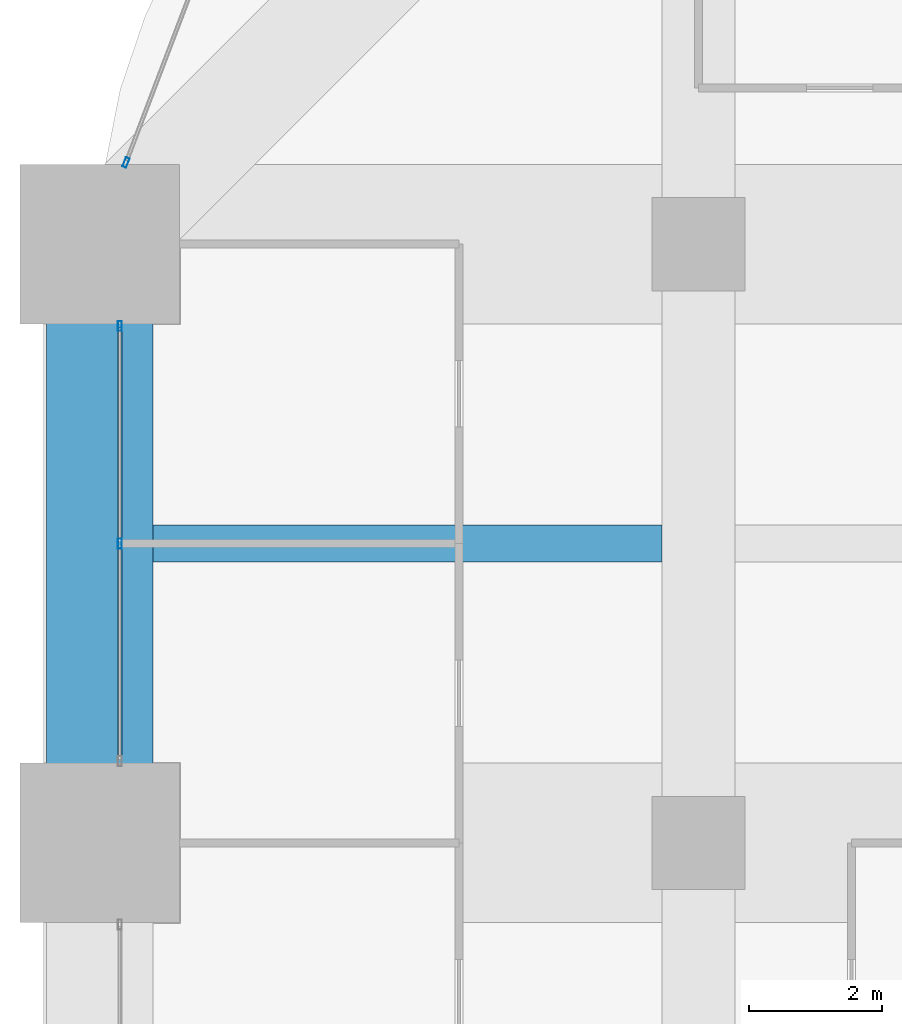
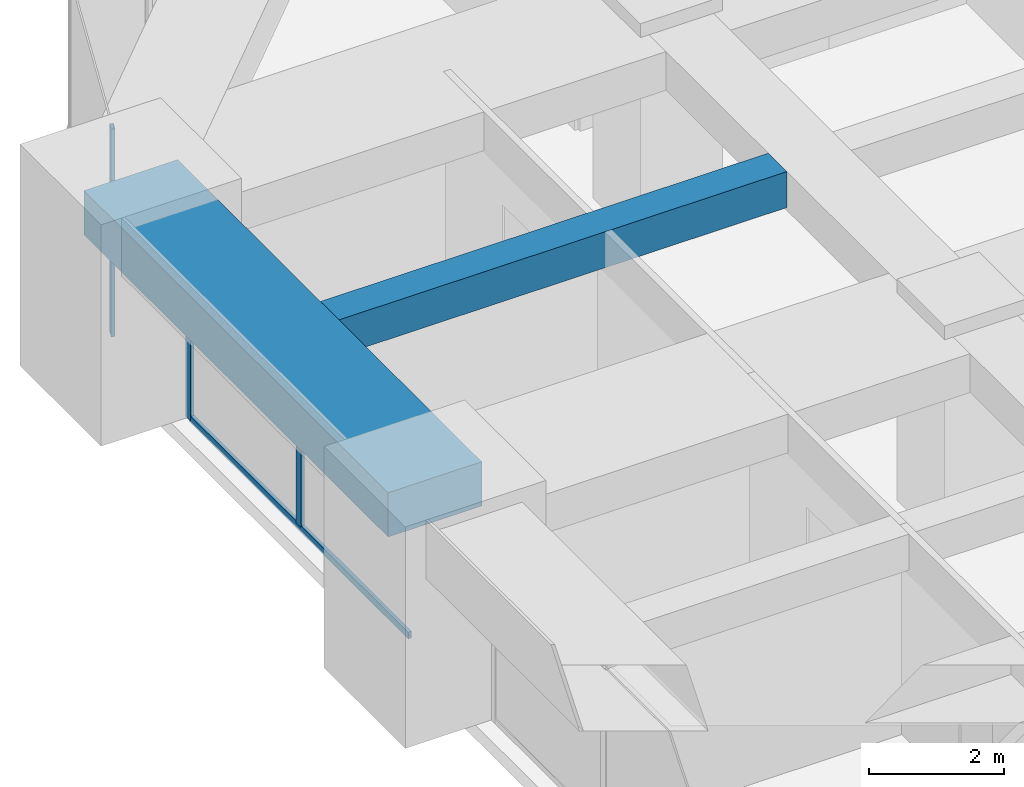
# One storey, part 19 of 35: 4 members, 2 beams, 2 elements without a shape of their own.
"""IFC4 building model written with IfcOpenShell, lengths in metres."""

import ifcopenshell
import ifcopenshell.guid

model = None  # the IFC model being written
_history = None  # IfcOwnerHistory: only IFC2X3 demands one
_inside = {}  # id of a spatial element -> (the spatial element, [elements in it])
_under = {}  # id of a project, library or spatial element -> (it, [spatial elements below it])
_declared = {}  # id of a project -> (the project, [libraries it declares])
_typed = {}  # id of a type object -> (the type object, [elements of that type])
_made_of = {}  # id of a material, layer set ... -> (it, [elements and type objects made of it])


def new_model(schema):
    """Start an empty IFC model of exactly this schema.

    Asked for "IFC4X3", IfcOpenShell would pick the latest addendum, in which some entities
    have other attributes; the version numbers below select the first issue.
    IFC2X3 requires an IfcOwnerHistory on every rooted entity: one is made here for all.
    """
    global model, _history
    if schema == "IFC4X3":
        model = ifcopenshell.file(schema_version=(4, 3, 0, 0))
    else:
        model = ifcopenshell.file(schema=schema)
    _inside.clear()
    _under.clear()
    _declared.clear()
    _typed.clear()
    _made_of.clear()
    _history = None
    if model.schema == "IFC2X3":
        org = make("IfcOrganization", Name="unknown")
        user = make(
            "IfcPersonAndOrganization",
            ThePerson=make("IfcPerson", FamilyName="unknown"),
            TheOrganization=org,
        )
        app = make(
            "IfcApplication",
            ApplicationDeveloper=org,
            Version="unknown",
            ApplicationFullName="unknown",
            ApplicationIdentifier="unknown",
        )
        _history = make(
            "IfcOwnerHistory",
            OwningUser=user,
            OwningApplication=app,
            ChangeAction="ADDED",
            CreationDate=0,
        )
    return model


def make(cls, **values):
    """One entity of the class cls with the attributes given. An attribute that is None is left unset."""
    return model.create_entity(
        cls, **{name: value for name, value in values.items() if value is not None}
    )


def rooted(cls, **values):
    """An entity with a GlobalId (a new one), such as an element, a storey or a relation."""
    return make(cls, GlobalId=ifcopenshell.guid.new(), OwnerHistory=_history, **values)


def si_unit(unit_type, name, prefix=None):
    """IfcSIUnit, for example si_unit("LENGTHUNIT", "METRE", prefix="MILLI")."""
    return make("IfcSIUnit", UnitType=unit_type, Prefix=prefix, Name=name)


def assignment(units):
    """IfcUnitAssignment: the units of a project."""
    return None if units is None else make("IfcUnitAssignment", Units=units)


def point(xyz):
    """IfcCartesianPoint."""
    return None if xyz is None else make("IfcCartesianPoint", Coordinates=xyz)


def direction(xyz):
    """IfcDirection."""
    return None if xyz is None else make("IfcDirection", DirectionRatios=xyz)


def frame(location, z_axis=None, x_axis=None):
    """IfcAxis2Placement3D, a coordinate frame: its origin and axes. An axis left out is left unset."""
    return make(
        "IfcAxis2Placement3D",
        Location=point(location),
        Axis=direction(z_axis),
        RefDirection=direction(x_axis),
    )


def frame_2d(location, x_axis=None):
    """IfcAxis2Placement2D, a coordinate frame in the plane: its origin and x axis."""
    return make(
        "IfcAxis2Placement2D", Location=point(location), RefDirection=direction(x_axis)
    )


def origin():
    """The frame at (0, 0, 0) with its axes left unset."""
    return frame((0.0, 0.0, 0.0))


def origin_2d():
    """The frame at (0, 0) in the plane with its x axis left unset."""
    return frame_2d((0.0, 0.0))


def place(relative_to, where):
    """IfcLocalPlacement: puts the frame where relative to a parent placement (None: the world)."""
    return make(
        "IfcLocalPlacement", PlacementRelTo=relative_to, RelativePlacement=where
    )


def context(
    kind, dimensions, precision=None, world=None, true_north=None, identifier=None
):
    """IfcGeometricRepresentationContext, for example the 3D "Model" context."""
    return make(
        "IfcGeometricRepresentationContext",
        ContextIdentifier=identifier,
        ContextType=kind,
        CoordinateSpaceDimension=dimensions,
        Precision=precision,
        WorldCoordinateSystem=world,
        TrueNorth=true_north,
    )


def subcontext(parent, identifier, kind, view, scale=None):
    """IfcGeometricRepresentationSubContext, for example "Body" below "Model"."""
    return make(
        "IfcGeometricRepresentationSubContext",
        ContextIdentifier=identifier,
        ContextType=kind,
        ParentContext=parent,
        TargetScale=scale,
        TargetView=view,
    )


def project(units=None, contexts=None):
    """IfcProject with its units and contexts."""
    return rooted(
        "IfcProject",
        Name="project",
        RepresentationContexts=contexts,
        UnitsInContext=assignment(units),
    )


def spatial(cls, under=None, at=None, **own):
    """A site, building, storey or space (cls), placed at a placement, below another one or the project."""
    s = rooted(cls, ObjectPlacement=at, **own)
    if under is not None:
        _under.setdefault(under.id(), (under, []))[1].append(s)
    return s


def profile(cls, at=None, kind="AREA", **sizes):
    """A parametric profile (cls). Its sizes go by their IFC names, for example OverallWidth=200.0."""
    return make(cls, ProfileType=kind, Position=at, **sizes)


def rectangle(**sizes):
    """IfcRectangleProfileDef."""
    return profile("IfcRectangleProfileDef", **sizes)


def hollow_rectangle(**sizes):
    """IfcRectangleHollowProfileDef."""
    return profile("IfcRectangleHollowProfileDef", **sizes)


def extrude(swept, where, along, depth):
    """IfcExtrudedAreaSolid: the profile swept, set in the frame where, extruded along a direction by depth."""
    return make(
        "IfcExtrudedAreaSolid",
        SweptArea=swept,
        Position=where,
        ExtrudedDirection=direction(along),
        Depth=depth,
    )


def shape(context_of_items, identifier, shape_type, items):
    """IfcShapeRepresentation: the items that make up one representation, for example the "Body"."""
    return make(
        "IfcShapeRepresentation",
        ContextOfItems=context_of_items,
        RepresentationIdentifier=identifier,
        RepresentationType=shape_type,
        Items=items,
    )


def material(Name=None, Category=None):
    """IfcMaterial."""
    return make("IfcMaterial", Name=Name, Category=Category)


def material_profile(
    of_material, cross_section, Name=None, Category=None, Priority=None
):
    """IfcMaterialProfile: a cross section and its material."""
    return make(
        "IfcMaterialProfile",
        Name=Name,
        Material=of_material,
        Profile=cross_section,
        Priority=Priority,
        Category=Category,
    )


def profile_set(profiles, Name=None, composite=None):
    """IfcMaterialProfileSet."""
    return make(
        "IfcMaterialProfileSet",
        Name=Name,
        MaterialProfiles=profiles,
        CompositeProfile=composite,
    )


def made_of(thing, what):
    """Note that an element or type object is made of a material, layer set ...; save() writes the relation."""
    if what is not None:
        _made_of.setdefault(what.id(), (what, []))[1].append(thing)
    return thing


def type_object(cls, material=None, **own):
    """A type object (cls), such as IfcWallType, which elements share."""
    return made_of(rooted(cls, **own), material)


def element(
    cls,
    number,
    at=None,
    inside=None,
    cuts=None,
    type_object=None,
    material=None,
    context=None,
    identifier="Body",
    shape_type=None,
    held_by="IfcProductDefinitionShape",
    body=None,
    shapes=None,
    **own,
):
    """One element of the class cls, such as IfcWall. Its Tag is "e" and its number.

    at: its placement. inside: the storey or other place that contains it. cuts: it is an
    opening in that element (IfcRelVoidsElement). A single representation is given by context,
    identifier, shape_type and body (its items); several are given by shapes. held_by: the class
    of the entity that holds the representations. save() writes the other relations.
    """
    e = rooted(cls, Tag="e%d" % number, ObjectPlacement=at, **own)
    if body is not None:
        shapes = [shape(context, identifier, shape_type, body)]
    if shapes is not None:
        e.Representation = make(held_by, Representations=shapes)
    if inside is not None:
        _inside.setdefault(inside.id(), (inside, []))[1].append(e)
    if cuts is not None:
        rooted(
            "IfcRelVoidsElement", RelatingBuildingElement=cuts, RelatedOpeningElement=e
        )
    if type_object is not None:
        _typed.setdefault(type_object.id(), (type_object, []))[1].append(e)
    return made_of(e, material)


def aggregate(whole, parts):
    """IfcRelAggregates: a whole, such as a stair, and the parts it consists of."""
    return rooted("IfcRelAggregates", RelatingObject=whole, RelatedObjects=parts)


def save(model, path):
    """Write the relations noted so far, then the file.

    IfcRelAggregates (storeys below a building ...), IfcRelContainedInSpatialStructure (elements
    in a storey), IfcRelDefinesByType, IfcRelAssociatesMaterial and IfcRelDeclares: one each for
    every whole, place, type object, material and project.
    """
    for whole, parts in _under.values():
        aggregate(whole, parts)
    for where, things in _inside.values():
        rooted(
            "IfcRelContainedInSpatialStructure",
            RelatedElements=things,
            RelatingStructure=where,
        )
    for kind, things in _typed.values():
        rooted("IfcRelDefinesByType", RelatedObjects=things, RelatingType=kind)
    for what, things in _made_of.values():
        rooted("IfcRelAssociatesMaterial", RelatedObjects=things, RelatingMaterial=what)
    for by, libraries in _declared.values():
        rooted("IfcRelDeclares", RelatingContext=by, RelatedDefinitions=libraries)
    model.write(path)


model = new_model("IFC4")

# Units and contexts
model_context = context("Model", 3, precision=1e-05, world=origin(), true_north=direction((0.0, 1.0)))
body_context = subcontext(model_context, "Body", "Model", "MODEL_VIEW")
ifc_project = project(units=[si_unit("LENGTHUNIT", "METRE"), si_unit("AREAUNIT", "SQUARE_METRE"), si_unit("VOLUMEUNIT", "CUBIC_METRE"), si_unit("PLANEANGLEUNIT", "RADIAN"), si_unit("MASSUNIT", "GRAM", prefix="KILO")], contexts=[model_context])

# Site, building, storey
site_placement = place(None, origin())
site = spatial("IfcSite", under=ifc_project, at=site_placement, CompositionType="ELEMENT")
building_placement = place(site_placement, origin())
building = spatial("IfcBuilding", under=site, at=building_placement, Name="Zorevar Civic Tower", CompositionType="ELEMENT")
storey_placement = place(building_placement, frame((0.0, 0.0, 222.199951171875)))
storey = spatial("IfcBuildingStorey", under=building, at=storey_placement, Name="L54", CompositionType="ELEMENT", Elevation=222.199951171875)

# Beam
ifc_material_1 = material(Name="Concrete C50/60", Category="concrete")
ifc_material_profile_1 = material_profile(ifc_material_1, rectangle(XDim=0.550048828125, YDim=0.64990234375, at=origin_2d()), Name="RC 550x650")
ifc_profile_set_1 = profile_set([ifc_material_profile_1], Name="Concrete C50/60")
beam_type_1 = type_object("IfcBeamType", Name="Beam RC 550x650", PredefinedType="BEAM", material=ifc_profile_set_1)
beam_1_placement = place(storey_placement, frame((0.800048828125, 31.5, 3.425048828125), z_axis=(1.0, 0.0, 0.0), x_axis=(0.0, 1.0, 0.0)))
element("IfcBeam", 1, at=beam_1_placement, inside=storey, type_object=beam_type_1, Name="Secondary beam L55", PredefinedType="BEAM", context=body_context, shape_type="SweptSolid", body=[
    extrude(rectangle(XDim=0.550048828125, YDim=0.64990234375, at=origin_2d()), origin(), (0.0, 0.0, 1.0), 7.64990234375),
])

# Curtain wall, members
ifc_material_2 = material(Name="Dark grey solar-control glass in black aluminium frame", Category="aluminium")
curtain_wall_type = type_object("IfcCurtainWallType", Name="Curtain wall CW4 high zone", PredefinedType="NOTDEFINED", material=ifc_material_2)
curtain_wall_1_placement = place(storey_placement, origin())
curtain_wall_1 = element("IfcCurtainWall", 2, at=curtain_wall_1_placement, inside=storey, type_object=curtain_wall_type, Name="CW4 L54", PredefinedType="NOTDEFINED")
ifc_material_3 = material(Name="Aluminium, black anodised", Category="aluminium")
ifc_material_profile_2 = material_profile(ifc_material_3, hollow_rectangle(XDim=0.06005859375, YDim=0.14990234375, WallThickness=0.00390625, at=origin_2d()), Name="AL 150x60x4")
ifc_profile_set_2 = profile_set([ifc_material_profile_2], Name="Aluminium, black anodised")
member_type_1 = type_object("IfcMemberType", Name="CW4 mullion AL 150x60x4", PredefinedType="MULLION", material=ifc_profile_set_2)
member_1_placement = place(storey_placement, frame((0.300048828125, 31.5, 0.06005859375), z_axis=(0.0, 0.0, 1.0), x_axis=(-1.0, 0.0, 0.0)))
member_1 = element("IfcMember", 3, at=member_1_placement, type_object=member_type_1, Name="CW4 mullion 2", PredefinedType="MULLION", context=body_context, shape_type="SweptSolid", body=[
    extrude(hollow_rectangle(XDim=0.06005859375, YDim=0.14990234375, WallThickness=0.00390625, at=origin_2d()), origin(), (0.0, 0.0, 1.0), 2.889892578125),
])
member_2_placement = place(storey_placement, frame((0.300048828125, 34.77001953125, 0.0), z_axis=(0.0, 0.0, 1.0), x_axis=(-1.0, 0.0, 0.0)))
member_2 = element("IfcMember", 4, at=member_2_placement, type_object=member_type_1, Name="CW4 mullion 3", PredefinedType="MULLION", context=body_context, shape_type="SweptSolid", body=[
    extrude(hollow_rectangle(XDim=0.06005859375, YDim=0.14990234375, WallThickness=0.00390625, at=origin_2d()), origin(), (0.0, 0.0, 1.0), 2.949951171875),
])

# Curtain wall, member
curtain_wall_2_placement = place(storey_placement, origin())
curtain_wall_2 = element("IfcCurtainWall", 5, at=curtain_wall_2_placement, inside=storey, type_object=curtain_wall_type, Name="CW4 L54", PredefinedType="NOTDEFINED")
member_3_placement = place(storey_placement, frame((0.393798828125, 37.22802734375, 0.0), z_axis=(0.0, 0.0, 1.0), x_axis=(0.93458842801, -0.355730895803, 0.0)))
member_3 = element("IfcMember", 6, at=member_3_placement, type_object=member_type_1, Name="CW4 mullion 2", PredefinedType="MULLION", context=body_context, shape_type="SweptSolid", body=[
    extrude(hollow_rectangle(XDim=0.06005859375, YDim=0.14990234375, WallThickness=0.00390625, at=origin_2d()), origin(), (0.0, 0.0, 1.0), 3.75),
])
aggregate(curtain_wall_2, [member_3])

# Member
ifc_material_4 = material(Name="Aluminium, black anodised", Category="aluminium")
ifc_material_profile_3 = material_profile(ifc_material_4, hollow_rectangle(XDim=0.06005859375, YDim=0.1201171875, WallThickness=0.0029296875, at=origin_2d()), Name="AL 120x60x3")
ifc_profile_set_3 = profile_set([ifc_material_profile_3], Name="Aluminium, black anodised")
member_type_2 = type_object("IfcMemberType", Name="CW4 transom AL 120x60x3", PredefinedType="USERDEFINED", material=ifc_profile_set_3)
member_4_placement = place(storey_placement, frame((0.300048828125, 28.260009765625, 0.030029296875), z_axis=(0.0, 1.0, 0.0), x_axis=(-1.0, 0.0, 0.0)))
member_4 = element("IfcMember", 7, at=member_4_placement, type_object=member_type_2, Name="CW4 sill transom", ObjectType="TRANSOM", PredefinedType="USERDEFINED", context=body_context, shape_type="SweptSolid", body=[
    extrude(hollow_rectangle(XDim=0.06005859375, YDim=0.1201171875, WallThickness=0.0029296875, at=origin_2d()), origin(), (0.0, 0.0, 1.0), 6.47998046875),
])

aggregate(curtain_wall_1, [member_1, member_2, member_4])

# Beam
ifc_material_5 = material(Name="Concrete C50/60", Category="concrete")
ifc_material_profile_4 = material_profile(ifc_material_5, rectangle(XDim=1.60009765625, YDim=0.800048828125, at=origin_2d()), Name="RC 1600x800")
ifc_profile_set_4 = profile_set([ifc_material_profile_4], Name="Concrete C50/60")
beam_type_2 = type_object("IfcBeamType", Name="Edge beam RC 1600x800", PredefinedType="SPANDREL", material=ifc_profile_set_4)
beam_2_placement = place(storey_placement, frame((0.0, 27.0, 3.35009765625), z_axis=(0.0, 1.0, 0.0), x_axis=(-1.0, 0.0, 0.0)))
element("IfcBeam", 8, at=beam_2_placement, inside=storey, type_object=beam_type_2, Name="Edge beam L55", PredefinedType="SPANDREL", context=body_context, shape_type="SweptSolid", body=[
    extrude(rectangle(XDim=1.60009765625, YDim=0.800048828125, at=origin_2d()), origin(), (0.0, 0.0, 1.0), 9.0),
])

save(model, "model.ifc")
